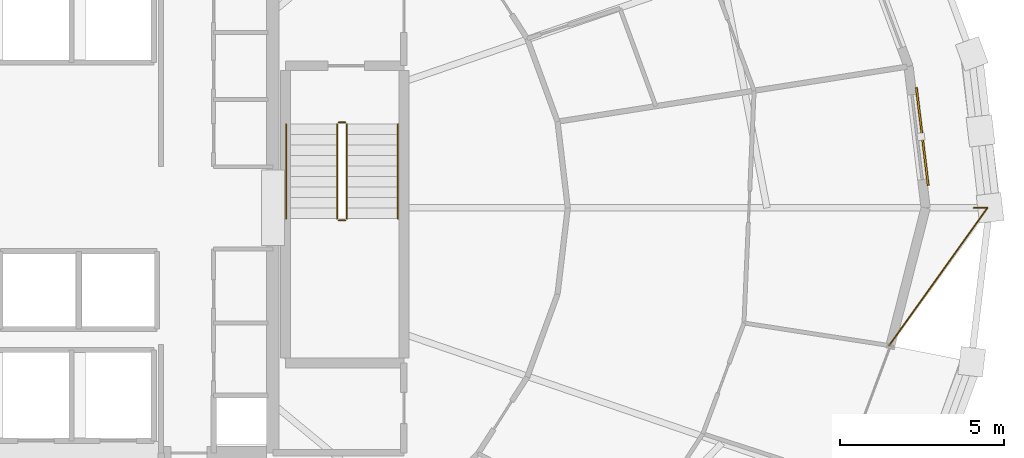
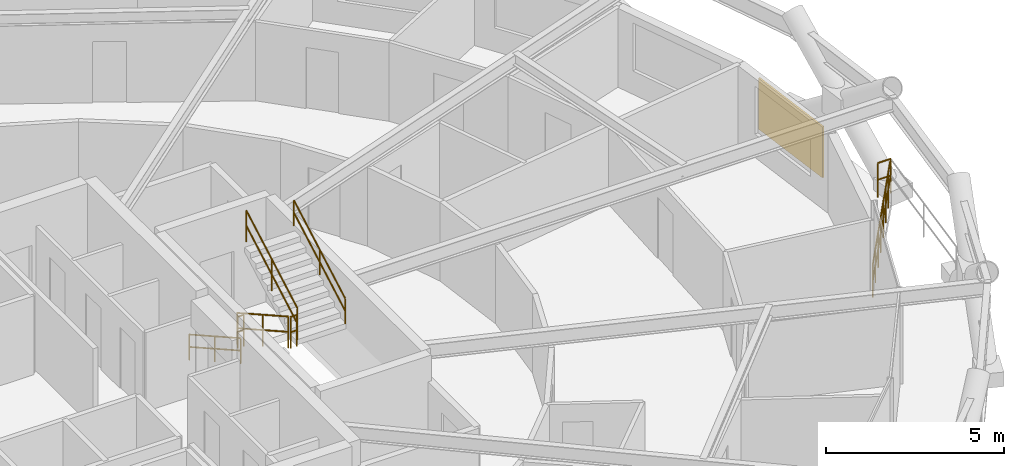
# One storey, part 22 of 22: 7 railings, 1 shading device.
"""IFC4 building model written with IfcOpenShell, lengths in metres."""

from ifc_helpers import new_model, si_unit, direction, frame, origin, origin_2d, place, context, subcontext, project, spatial, rectangle, circle, extrude, material, layer, layer_set, type_object, element, save


model = new_model("IFC4")

# Units and contexts
model_context = context("Model", 3, precision=1e-05, world=origin(), true_north=direction((0.0, 1.0)))
body_context = subcontext(model_context, "Body", "Model", "MODEL_VIEW")
ifc_project = project(units=[si_unit("LENGTHUNIT", "METRE"), si_unit("AREAUNIT", "SQUARE_METRE"), si_unit("VOLUMEUNIT", "CUBIC_METRE"), si_unit("PLANEANGLEUNIT", "RADIAN"), si_unit("MASSUNIT", "GRAM", prefix="KILO")], contexts=[model_context])

# Site, building, storey
site_placement = place(None, origin())
site = spatial("IfcSite", under=ifc_project, at=site_placement, CompositionType="ELEMENT")
building_placement = place(site_placement, origin())
building = spatial("IfcBuilding", under=site, at=building_placement, Name="Veldorina Hangang Commons", CompositionType="ELEMENT")
storey_placement = place(building_placement, frame((0.0, 0.0, 80.800048828125)))
storey = spatial("IfcBuildingStorey", under=building, at=storey_placement, Name="L20", CompositionType="ELEMENT", Elevation=80.800048828125)

# Railings
ifc_material_1 = material(Name="Glass Laminated Safety Balustrade", Category="glass")
railing_type_1 = type_object("IfcRailingType", Name="RL-BAL-LOGGIA", PredefinedType="BALUSTRADE", material=ifc_material_1)
railing_1_placement = place(storey_placement, frame((60.5, 24.0, 0.0)))
element("IfcRailing", 1, at=railing_1_placement, inside=storey, type_object=railing_type_1, Name="L20 sky-garden loggia end balustrade B", PredefinedType="BALUSTRADE", context=body_context, shape_type="SweptSolid", body=[
    extrude(circle(Radius=0.02392578125, at=origin_2d()), frame((0.0, 0.0, 1.17578125), z_axis=(1.0, 0.0, 0.0), x_axis=(0.0, 1.0, 0.0)), (0.0, 0.0, 1.0), 0.419921875),
    extrude(circle(Radius=0.02392578125, at=origin_2d()), frame((0.0, 0.0, 0.60009765625), z_axis=(1.0, 0.0, 0.0), x_axis=(0.0, 1.0, 0.0)), (0.0, 0.0, 1.0), 0.419921875),
    extrude(circle(Radius=0.02392578125, at=origin_2d()), frame((0.419921875, 0.0, 1.17578125), z_axis=(-0.581193276377, -0.81376555315, 0.0), x_axis=(0.81376555315, -0.581193276377, 0.0)), (0.0, 0.0, 1.0), 5.1416015625),
    extrude(circle(Radius=0.02392578125, at=origin_2d()), frame((0.419921875, 0.0, 0.60009765625), z_axis=(-0.581193276377, -0.81376555315, 0.0), x_axis=(0.81376555315, -0.581193276377, 0.0)), (0.0, 0.0, 1.0), 5.1416015625),
    extrude(circle(Radius=0.02099609375, at=origin_2d()), origin(), (0.0, 0.0, 1.0), 1.15185546875),
    extrude(circle(Radius=0.02099609375, at=origin_2d()), frame((0.419921875, 0.0, 0.0)), (0.0, 0.0, 1.0), 1.15185546875),
    extrude(circle(Radius=0.02099609375, at=origin_2d()), frame((-0.007080078125, -0.59765625, 0.0)), (0.0, 0.0, 1.0), 1.15185546875),
    extrude(circle(Radius=0.02099609375, at=origin_2d()), frame((-0.433837890625, -1.195556640625, 0.0)), (0.0, 0.0, 1.0), 1.15185546875),
    extrude(circle(Radius=0.02099609375, at=origin_2d()), frame((-0.86083984375, -1.793212890625, 0.0)), (0.0, 0.0, 1.0), 1.15185546875),
    extrude(circle(Radius=0.02099609375, at=origin_2d()), frame((-1.28759765625, -2.390869140625, 0.0)), (0.0, 0.0, 1.0), 1.15185546875),
    extrude(circle(Radius=0.02099609375, at=origin_2d()), frame((-1.714599609375, -2.988525390625, 0.0)), (0.0, 0.0, 1.0), 1.15185546875),
    extrude(circle(Radius=0.02099609375, at=origin_2d()), frame((-2.141357421875, -3.58642578125, 0.0)), (0.0, 0.0, 1.0), 1.15185546875),
    extrude(circle(Radius=0.02099609375, at=origin_2d()), frame((-2.568359375, -4.18408203125, 0.0)), (0.0, 0.0, 1.0), 1.15185546875),
])
ifc_material_2 = material(Name="Steel Painted Balustrade", Category="steel")
railing_type_2 = type_object("IfcRailingType", Name="RL-GRD-STAIR", PredefinedType="GUARDRAIL", material=ifc_material_2)
railing_2_placement = place(storey_placement, frame((41.14990234375, 26.550048828125, 0.179931640625)))
element("IfcRailing", 2, at=railing_2_placement, inside=storey, type_object=railing_type_2, Name="L20 ST-2 stair guard 1", PredefinedType="GUARDRAIL", context=body_context, shape_type="SweptSolid", body=[
    extrude(circle(Radius=0.02392578125, at=origin_2d()), frame((0.0, 0.0, 1.076171875), z_axis=(0.0, -0.871569617843, 0.490271762652), x_axis=(1.0, 0.0, 0.0)), (0.0, 0.0, 1.0), 3.304443359375),
    extrude(circle(Radius=0.02392578125, at=origin_2d()), frame((0.0, 0.0, 0.550048828125), z_axis=(0.0, -0.871569617843, 0.490271762652), x_axis=(1.0, 0.0, 0.0)), (0.0, 0.0, 1.0), 3.304443359375),
    extrude(circle(Radius=0.02099609375, at=origin_2d()), origin(), (0.0, 0.0, 1.0), 1.052001953125),
    extrude(circle(Radius=0.02099609375, at=origin_2d()), frame((0.0, -1.43994140625, 0.81005859375)), (0.0, 0.0, 1.0), 1.052001953125),
    extrude(circle(Radius=0.02099609375, at=origin_2d()), frame((0.0, -2.880126953125, 1.6201171875)), (0.0, 0.0, 1.0), 1.052001953125),
])
railing_3_placement = place(storey_placement, frame((41.199951171875, 23.6201171875, 1.800048828125)))
element("IfcRailing", 3, at=railing_3_placement, inside=storey, type_object=railing_type_2, Name="L20 ST-2 stair guard 2", PredefinedType="GUARDRAIL", context=body_context, shape_type="SweptSolid", body=[
    extrude(circle(Radius=0.02392578125, at=origin_2d()), frame((0.0, 0.0, 1.076171875), z_axis=(1.0, 0.0, 0.0), x_axis=(0.0, 1.0, 0.0)), (0.0, 0.0, 1.0), 0.199951171875),
    extrude(circle(Radius=0.02392578125, at=origin_2d()), frame((0.0, 0.0, 0.550048828125), z_axis=(1.0, 0.0, 0.0), x_axis=(0.0, 1.0, 0.0)), (0.0, 0.0, 1.0), 0.199951171875),
    extrude(circle(Radius=0.02099609375, at=origin_2d()), origin(), (0.0, 0.0, 1.0), 1.052001953125),
    extrude(circle(Radius=0.02099609375, at=origin_2d()), frame((0.199951171875, 0.0, 0.0)), (0.0, 0.0, 1.0), 1.052001953125),
])
railing_4_placement = place(storey_placement, frame((41.449951171875, 23.669921875, 1.97998046875)))
element("IfcRailing", 4, at=railing_4_placement, inside=storey, type_object=railing_type_2, Name="L20 ST-2 stair guard 3", PredefinedType="GUARDRAIL", context=body_context, shape_type="SweptSolid", body=[
    extrude(circle(Radius=0.02392578125, at=origin_2d()), frame((0.0, 0.0, 1.076171875), z_axis=(0.0, 0.871601186807, 0.490215637405), x_axis=(-1.0, 0.0, 0.0)), (0.0, 0.0, 1.0), 3.304443359375),
    extrude(circle(Radius=0.02392578125, at=origin_2d()), frame((0.0, 0.0, 0.550048828125), z_axis=(0.0, 0.871601186807, 0.490215637405), x_axis=(-1.0, 0.0, 0.0)), (0.0, 0.0, 1.0), 3.304443359375),
    extrude(circle(Radius=0.02099609375, at=origin_2d()), origin(), (0.0, 0.0, 1.0), 1.052001953125),
    extrude(circle(Radius=0.02099609375, at=origin_2d()), frame((0.0, 1.43994140625, 0.81005859375)), (0.0, 0.0, 1.0), 1.052001953125),
    extrude(circle(Radius=0.02099609375, at=origin_2d()), frame((0.0, 2.880126953125, 1.619873046875)), (0.0, 0.0, 1.0), 1.052001953125),
])
railing_5_placement = place(storey_placement, frame((41.199951171875, 26.60009765625, 0.0)))
element("IfcRailing", 5, at=railing_5_placement, inside=storey, type_object=railing_type_2, Name="L20 ST-2 stair guard 4", PredefinedType="GUARDRAIL", context=body_context, shape_type="SweptSolid", body=[
    extrude(circle(Radius=0.02392578125, at=origin_2d()), frame((0.0, 0.0, 1.076171875), z_axis=(1.0, 0.0, 0.0), x_axis=(0.0, 1.0, 0.0)), (0.0, 0.0, 1.0), 0.199951171875),
    extrude(circle(Radius=0.02392578125, at=origin_2d()), frame((0.0, 0.0, 0.550048828125), z_axis=(1.0, 0.0, 0.0), x_axis=(0.0, 1.0, 0.0)), (0.0, 0.0, 1.0), 0.199951171875),
    extrude(circle(Radius=0.02099609375, at=origin_2d()), origin(), (0.0, 0.0, 1.0), 1.052001953125),
    extrude(circle(Radius=0.02099609375, at=origin_2d()), frame((0.199951171875, 0.0, 0.0)), (0.0, 0.0, 1.0), 1.052001953125),
])
ifc_material_3 = material(Name="Stainless Steel Brushed 316", Category="steel")
railing_type_3 = type_object("IfcRailingType", Name="RL-HND-STAIR", PredefinedType="HANDRAIL", material=ifc_material_3)
railing_6_placement = place(storey_placement, frame((39.60009765625, 26.550048828125, 0.179931640625)))
element("IfcRailing", 6, at=railing_6_placement, inside=storey, type_object=railing_type_3, Name="L20 ST-2 stair handrail 1", PredefinedType="HANDRAIL", context=body_context, shape_type="SweptSolid", body=[
    extrude(circle(Radius=0.02392578125, at=origin_2d()), frame((0.0, 0.0, 0.8759765625), z_axis=(0.0, -0.871569617843, 0.490271762652), x_axis=(1.0, 0.0, 0.0)), (0.0, 0.0, 1.0), 3.304443359375),
    extrude(circle(Radius=0.02392578125, at=origin_2d()), frame((0.0, 0.0, 0.449951171875), z_axis=(0.0, -0.871569617843, 0.490271762652), x_axis=(1.0, 0.0, 0.0)), (0.0, 0.0, 1.0), 3.304443359375),
    extrude(circle(Radius=0.02099609375, at=origin_2d()), origin(), (0.0, 0.0, 1.0), 0.851806640625),
    extrude(circle(Radius=0.02099609375, at=origin_2d()), frame((0.0, -1.43994140625, 0.81005859375)), (0.0, 0.0, 1.0), 0.851806640625),
    extrude(circle(Radius=0.02099609375, at=origin_2d()), frame((0.0, -2.880126953125, 1.6201171875)), (0.0, 0.0, 1.0), 0.851806640625),
])
railing_7_placement = place(storey_placement, frame((43.0, 23.669921875, 1.97998046875)))
element("IfcRailing", 7, at=railing_7_placement, inside=storey, type_object=railing_type_3, Name="L20 ST-2 stair handrail 2", PredefinedType="HANDRAIL", context=body_context, shape_type="SweptSolid", body=[
    extrude(circle(Radius=0.02392578125, at=origin_2d()), frame((0.0, 0.0, 0.8759765625), z_axis=(0.0, 0.871601186807, 0.490215637405), x_axis=(-1.0, 0.0, 0.0)), (0.0, 0.0, 1.0), 3.304443359375),
    extrude(circle(Radius=0.02392578125, at=origin_2d()), frame((0.0, 0.0, 0.449951171875), z_axis=(0.0, 0.871601186807, 0.490215637405), x_axis=(-1.0, 0.0, 0.0)), (0.0, 0.0, 1.0), 3.304443359375),
    extrude(circle(Radius=0.02099609375, at=origin_2d()), origin(), (0.0, 0.0, 1.0), 0.851806640625),
    extrude(circle(Radius=0.02099609375, at=origin_2d()), frame((0.0, 1.43994140625, 0.81005859375)), (0.0, 0.0, 1.0), 0.851806640625),
    extrude(circle(Radius=0.02099609375, at=origin_2d()), frame((0.0, 2.880126953125, 1.619873046875)), (0.0, 0.0, 1.0), 0.851806640625),
])

# Shading device
ifc_material_4 = material(Name="Ceramic Glazed Terracotta", Category="masonry")
ifc_layer = layer(ifc_material_4, 0.06005859375)
ifc_layer_set = layer_set([ifc_layer], Name="Ceramic Glazed Terracotta")
shading_device_type = type_object("IfcShadingDeviceType", Name="SCR-CER-3000", PredefinedType="USERDEFINED", material=ifc_layer_set)
shading_device_placement = place(storey_placement, frame((58.93896484375, 26.169189453125, 0.75), z_axis=(0.0, 0.0, 1.0), x_axis=(-0.119963568163, 0.992778294643, 0.0)))
element("IfcShadingDevice", 8, at=shading_device_placement, inside=storey, type_object=shading_device_type, Name="L20 PERFORATED CERAMIC SOLAR SCREEN 00", ObjectType="SCREEN", PredefinedType="USERDEFINED", context=body_context, shape_type="SweptSolid", body=[
    extrude(rectangle(XDim=3.0, YDim=0.06005859375, at=origin_2d()), origin(), (0.0, 0.0, 1.0), 1.75),
])

save(model, "model.ifc")
